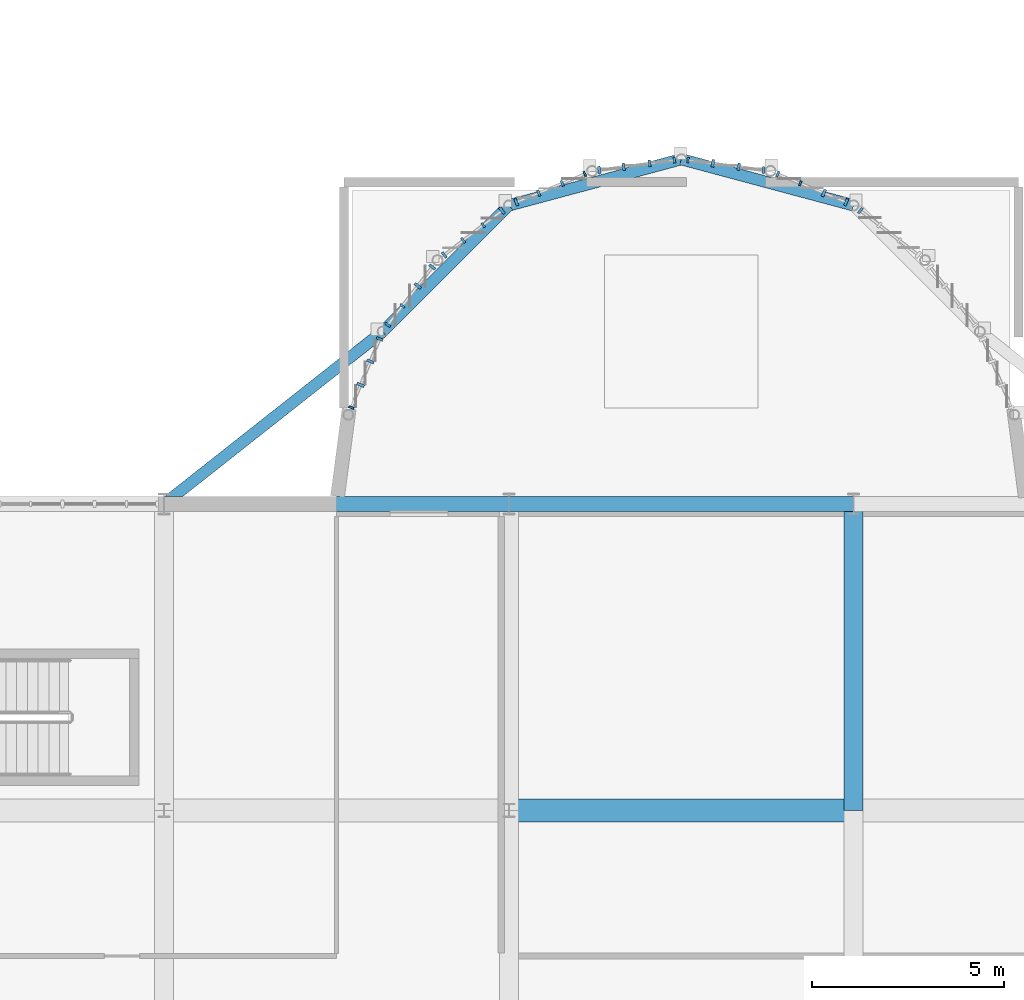
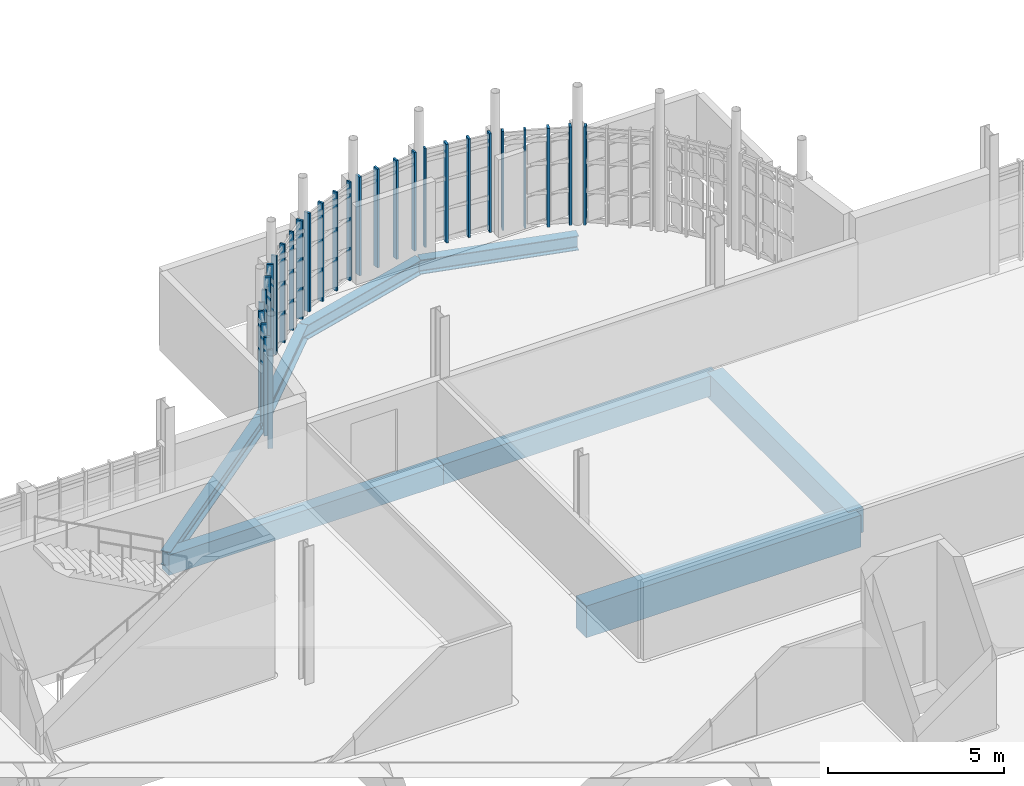
# One storey, part 21 of 128: 29 members, 8 beams, 8 elements without a shape of their own.
"""IFC4 building model written with IfcOpenShell, lengths in metres."""

import ifcopenshell
import ifcopenshell.guid

model = None  # the IFC model being written
_history = None  # IfcOwnerHistory: only IFC2X3 demands one
_inside = {}  # id of a spatial element -> (the spatial element, [elements in it])
_under = {}  # id of a project, library or spatial element -> (it, [spatial elements below it])
_declared = {}  # id of a project -> (the project, [libraries it declares])
_typed = {}  # id of a type object -> (the type object, [elements of that type])
_made_of = {}  # id of a material, layer set ... -> (it, [elements and type objects made of it])


def new_model(schema):
    """Start an empty IFC model of exactly this schema.

    Asked for "IFC4X3", IfcOpenShell would pick the latest addendum, in which some entities
    have other attributes; the version numbers below select the first issue.
    IFC2X3 requires an IfcOwnerHistory on every rooted entity: one is made here for all.
    """
    global model, _history
    if schema == "IFC4X3":
        model = ifcopenshell.file(schema_version=(4, 3, 0, 0))
    else:
        model = ifcopenshell.file(schema=schema)
    _inside.clear()
    _under.clear()
    _declared.clear()
    _typed.clear()
    _made_of.clear()
    _history = None
    if model.schema == "IFC2X3":
        org = make("IfcOrganization", Name="unknown")
        user = make(
            "IfcPersonAndOrganization",
            ThePerson=make("IfcPerson", FamilyName="unknown"),
            TheOrganization=org,
        )
        app = make(
            "IfcApplication",
            ApplicationDeveloper=org,
            Version="unknown",
            ApplicationFullName="unknown",
            ApplicationIdentifier="unknown",
        )
        _history = make(
            "IfcOwnerHistory",
            OwningUser=user,
            OwningApplication=app,
            ChangeAction="ADDED",
            CreationDate=0,
        )
    return model


def make(cls, **values):
    """One entity of the class cls with the attributes given. An attribute that is None is left unset."""
    return model.create_entity(
        cls, **{name: value for name, value in values.items() if value is not None}
    )


def rooted(cls, **values):
    """An entity with a GlobalId (a new one), such as an element, a storey or a relation."""
    return make(cls, GlobalId=ifcopenshell.guid.new(), OwnerHistory=_history, **values)


def si_unit(unit_type, name, prefix=None):
    """IfcSIUnit, for example si_unit("LENGTHUNIT", "METRE", prefix="MILLI")."""
    return make("IfcSIUnit", UnitType=unit_type, Prefix=prefix, Name=name)


def assignment(units):
    """IfcUnitAssignment: the units of a project."""
    return None if units is None else make("IfcUnitAssignment", Units=units)


def point(xyz):
    """IfcCartesianPoint."""
    return None if xyz is None else make("IfcCartesianPoint", Coordinates=xyz)


def direction(xyz):
    """IfcDirection."""
    return None if xyz is None else make("IfcDirection", DirectionRatios=xyz)


def frame(location, z_axis=None, x_axis=None):
    """IfcAxis2Placement3D, a coordinate frame: its origin and axes. An axis left out is left unset."""
    return make(
        "IfcAxis2Placement3D",
        Location=point(location),
        Axis=direction(z_axis),
        RefDirection=direction(x_axis),
    )


def frame_2d(location, x_axis=None):
    """IfcAxis2Placement2D, a coordinate frame in the plane: its origin and x axis."""
    return make(
        "IfcAxis2Placement2D", Location=point(location), RefDirection=direction(x_axis)
    )


def origin():
    """The frame at (0, 0, 0) with its axes left unset."""
    return frame((0.0, 0.0, 0.0))


def origin_2d():
    """The frame at (0, 0) in the plane with its x axis left unset."""
    return frame_2d((0.0, 0.0))


def place(relative_to, where):
    """IfcLocalPlacement: puts the frame where relative to a parent placement (None: the world)."""
    return make(
        "IfcLocalPlacement", PlacementRelTo=relative_to, RelativePlacement=where
    )


def context(
    kind, dimensions, precision=None, world=None, true_north=None, identifier=None
):
    """IfcGeometricRepresentationContext, for example the 3D "Model" context."""
    return make(
        "IfcGeometricRepresentationContext",
        ContextIdentifier=identifier,
        ContextType=kind,
        CoordinateSpaceDimension=dimensions,
        Precision=precision,
        WorldCoordinateSystem=world,
        TrueNorth=true_north,
    )


def subcontext(parent, identifier, kind, view, scale=None):
    """IfcGeometricRepresentationSubContext, for example "Body" below "Model"."""
    return make(
        "IfcGeometricRepresentationSubContext",
        ContextIdentifier=identifier,
        ContextType=kind,
        ParentContext=parent,
        TargetScale=scale,
        TargetView=view,
    )


def project(units=None, contexts=None):
    """IfcProject with its units and contexts."""
    return rooted(
        "IfcProject",
        Name="project",
        RepresentationContexts=contexts,
        UnitsInContext=assignment(units),
    )


def spatial(cls, under=None, at=None, **own):
    """A site, building, storey or space (cls), placed at a placement, below another one or the project."""
    s = rooted(cls, ObjectPlacement=at, **own)
    if under is not None:
        _under.setdefault(under.id(), (under, []))[1].append(s)
    return s


def profile(cls, at=None, kind="AREA", **sizes):
    """A parametric profile (cls). Its sizes go by their IFC names, for example OverallWidth=200.0."""
    return make(cls, ProfileType=kind, Position=at, **sizes)


def rectangle(**sizes):
    """IfcRectangleProfileDef."""
    return profile("IfcRectangleProfileDef", **sizes)


def i_section(**sizes):
    """IfcIShapeProfileDef."""
    return profile("IfcIShapeProfileDef", **sizes)


def extrude(swept, where, along, depth):
    """IfcExtrudedAreaSolid: the profile swept, set in the frame where, extruded along a direction by depth."""
    return make(
        "IfcExtrudedAreaSolid",
        SweptArea=swept,
        Position=where,
        ExtrudedDirection=direction(along),
        Depth=depth,
    )


def shape(context_of_items, identifier, shape_type, items):
    """IfcShapeRepresentation: the items that make up one representation, for example the "Body"."""
    return make(
        "IfcShapeRepresentation",
        ContextOfItems=context_of_items,
        RepresentationIdentifier=identifier,
        RepresentationType=shape_type,
        Items=items,
    )


def material(Name=None, Category=None):
    """IfcMaterial."""
    return make("IfcMaterial", Name=Name, Category=Category)


def material_profile(
    of_material, cross_section, Name=None, Category=None, Priority=None
):
    """IfcMaterialProfile: a cross section and its material."""
    return make(
        "IfcMaterialProfile",
        Name=Name,
        Material=of_material,
        Profile=cross_section,
        Priority=Priority,
        Category=Category,
    )


def profile_set(profiles, Name=None, composite=None):
    """IfcMaterialProfileSet."""
    return make(
        "IfcMaterialProfileSet",
        Name=Name,
        MaterialProfiles=profiles,
        CompositeProfile=composite,
    )


def made_of(thing, what):
    """Note that an element or type object is made of a material, layer set ...; save() writes the relation."""
    if what is not None:
        _made_of.setdefault(what.id(), (what, []))[1].append(thing)
    return thing


def type_object(cls, material=None, **own):
    """A type object (cls), such as IfcWallType, which elements share."""
    return made_of(rooted(cls, **own), material)


def element(
    cls,
    number,
    at=None,
    inside=None,
    cuts=None,
    type_object=None,
    material=None,
    context=None,
    identifier="Body",
    shape_type=None,
    held_by="IfcProductDefinitionShape",
    body=None,
    shapes=None,
    **own,
):
    """One element of the class cls, such as IfcWall. Its Tag is "e" and its number.

    at: its placement. inside: the storey or other place that contains it. cuts: it is an
    opening in that element (IfcRelVoidsElement). A single representation is given by context,
    identifier, shape_type and body (its items); several are given by shapes. held_by: the class
    of the entity that holds the representations. save() writes the other relations.
    """
    e = rooted(cls, Tag="e%d" % number, ObjectPlacement=at, **own)
    if body is not None:
        shapes = [shape(context, identifier, shape_type, body)]
    if shapes is not None:
        e.Representation = make(held_by, Representations=shapes)
    if inside is not None:
        _inside.setdefault(inside.id(), (inside, []))[1].append(e)
    if cuts is not None:
        rooted(
            "IfcRelVoidsElement", RelatingBuildingElement=cuts, RelatedOpeningElement=e
        )
    if type_object is not None:
        _typed.setdefault(type_object.id(), (type_object, []))[1].append(e)
    return made_of(e, material)


def aggregate(whole, parts):
    """IfcRelAggregates: a whole, such as a stair, and the parts it consists of."""
    return rooted("IfcRelAggregates", RelatingObject=whole, RelatedObjects=parts)


def save(model, path):
    """Write the relations noted so far, then the file.

    IfcRelAggregates (storeys below a building ...), IfcRelContainedInSpatialStructure (elements
    in a storey), IfcRelDefinesByType, IfcRelAssociatesMaterial and IfcRelDeclares: one each for
    every whole, place, type object, material and project.
    """
    for whole, parts in _under.values():
        aggregate(whole, parts)
    for where, things in _inside.values():
        rooted(
            "IfcRelContainedInSpatialStructure",
            RelatedElements=things,
            RelatingStructure=where,
        )
    for kind, things in _typed.values():
        rooted("IfcRelDefinesByType", RelatedObjects=things, RelatingType=kind)
    for what, things in _made_of.values():
        rooted("IfcRelAssociatesMaterial", RelatedObjects=things, RelatingMaterial=what)
    for by, libraries in _declared.values():
        rooted("IfcRelDeclares", RelatingContext=by, RelatedDefinitions=libraries)
    model.write(path)


model = new_model("IFC4")

# Units and contexts
model_context = context("Model", 3, precision=1e-05, world=origin(), true_north=direction((0.0, 1.0)))
body_context = subcontext(model_context, "Body", "Model", "MODEL_VIEW")
ifc_project = project(units=[si_unit("LENGTHUNIT", "METRE"), si_unit("AREAUNIT", "SQUARE_METRE"), si_unit("VOLUMEUNIT", "CUBIC_METRE"), si_unit("PLANEANGLEUNIT", "RADIAN"), si_unit("MASSUNIT", "GRAM", prefix="KILO")], contexts=[model_context])

# Site, building, storey
site_placement = place(None, origin())
site = spatial("IfcSite", under=ifc_project, at=site_placement, CompositionType="ELEMENT")
building_placement = place(site_placement, origin())
building = spatial("IfcBuilding", under=site, at=building_placement, Name="Serraforn Aerial Cableway Station", CompositionType="ELEMENT")
storey_placement = place(building_placement, frame((0.0, 0.0, 9.0)))
storey = spatial("IfcBuildingStorey", under=building, at=storey_placement, Name="L02", CompositionType="ELEMENT", Elevation=9.0)

# Beams
ifc_material_1 = material(Name="Concrete C35/45", Category="concrete")
ifc_material_profile_1 = material_profile(ifc_material_1, rectangle(XDim=0.39990234375, YDim=0.699951171875, at=origin_2d()), Name="RC 400x700")
ifc_profile_set_1 = profile_set([ifc_material_profile_1], Name="Concrete C35/45")
beam_type_1 = type_object("IfcBeamType", Name="BM-RC-400x700E", PredefinedType="SPANDREL", material=ifc_profile_set_1)
for number, where, z_axis, x_axis, name in (
    (1, (45.60009765625, 42.0, -0.7099609375), (1.0, 0.0, 0.0), (0.0, 1.0, 0.0), "Grid Girder X CV L02 Y4-3"),
    (2, (54.60009765625, 42.0, -0.7099609375), (1.0, 0.0, 0.0), (0.0, 1.0, 0.0), "Grid Girder X CV L02 Y4-4"),
):
    element("IfcBeam", number, at=place(storey_placement, frame(where, z_axis=z_axis, x_axis=x_axis)), inside=storey, type_object=beam_type_1, Name=name, PredefinedType="SPANDREL", context=body_context, shape_type="SweptSolid", body=[
        extrude(rectangle(XDim=0.39990234375, YDim=0.699951171875, at=origin_2d()), origin(), (0.0, 0.0, 1.0), 9.0),
    ])
ifc_material_profile_2 = material_profile(ifc_material_1, rectangle(XDim=0.5, YDim=0.85009765625, at=origin_2d()), Name="RC 500x850")
ifc_profile_set_2 = profile_set([ifc_material_profile_2], Name="Concrete C35/45")
beam_type_2 = type_object("IfcBeamType", Name="BM-RC-500x850", PredefinedType="USERDEFINED", material=ifc_profile_set_2)
beam_1_placement = place(storey_placement, frame((63.60009765625, 34.0, -0.784912109375), z_axis=(0.0, 1.0, 0.0), x_axis=(-1.0, 0.0, 0.0)))
element("IfcBeam", 3, at=beam_1_placement, inside=storey, type_object=beam_type_2, Name="Grid Girder Y CV L02 X5-3", ObjectType="GIRDER", PredefinedType="USERDEFINED", context=body_context, shape_type="SweptSolid", body=[
    extrude(rectangle(XDim=0.5, YDim=0.85009765625, at=origin_2d()), origin(), (0.0, 0.0, 1.0), 8.0),
])
ifc_material_2 = material(Name="Concrete C40/50", Category="concrete")
ifc_material_profile_3 = material_profile(ifc_material_2, rectangle(XDim=0.60009765625, YDim=1.10009765625, at=origin_2d()), Name="RC 600x1100")
ifc_profile_set_3 = profile_set([ifc_material_profile_3], Name="Concrete C40/50")
beam_type_3 = type_object("IfcBeamType", Name="BM-RC-600x1100", PredefinedType="USERDEFINED", material=ifc_profile_set_3)
beam_2_placement = place(storey_placement, frame((54.60009765625, 34.0, -0.909912109375), z_axis=(1.0, 0.0, 0.0), x_axis=(0.0, 1.0, 0.0)))
element("IfcBeam", 4, at=beam_2_placement, inside=storey, type_object=beam_type_3, Name="Grid Girder X CV L02 Y3-4", ObjectType="GIRDER", PredefinedType="USERDEFINED", context=body_context, shape_type="SweptSolid", body=[
    extrude(rectangle(XDim=0.60009765625, YDim=1.10009765625, at=origin_2d()), origin(), (0.0, 0.0, 1.0), 9.0),
])
ifc_material_3 = material(Name="Steel S355J2", Category="steel")
ifc_material_profile_4 = material_profile(ifc_material_3, i_section(OverallWidth=0.300048828125, OverallDepth=0.5, WebThickness=0.011962890625, FlangeThickness=0.02294921875, FilletRadius=0.027099609375, at=origin_2d()), Name="HEA 500")
ifc_profile_set_4 = profile_set([ifc_material_profile_4], Name="Steel S355J2")
beam_type_4 = type_object("IfcBeamType", Name="BM-ST-HEA500", PredefinedType="USERDEFINED", material=ifc_profile_set_4)
beam_3_placement = place(storey_placement, frame((45.60009765625, 42.0, -0.590087890625), z_axis=(0.785189683878, 0.619255327253, 0.0), x_axis=(-0.619255327253, 0.785189683878, 0.0)))
element("IfcBeam", 5, at=beam_3_placement, inside=storey, type_object=beam_type_4, Name="Apse Ring Girder L02-1", ObjectType="GIRDER", PredefinedType="USERDEFINED", context=body_context, shape_type="SweptSolid", body=[
    extrude(i_section(OverallWidth=0.300048828125, OverallDepth=0.5, WebThickness=0.011962890625, FlangeThickness=0.02294921875, FilletRadius=0.027099609375, at=origin_2d()), origin(), (0.0, 0.0, 1.0), 7.266845703125),
])
for number, where, z_axis, x_axis, name in (
    (6, (51.305908203125, 46.5, -0.590087890625), (0.707106781187, 0.707106781187, 0.0), (-0.707106781187, 0.707106781187, 0.0), "Apse Ring Girder L02-2"),
    (7, (54.60009765625, 49.794189453125, -0.590087890625), (0.965923723713, 0.258826891896, 0.0), (-0.258826891896, 0.965923723713, 0.0), "Apse Ring Girder L02-3"),
    (8, (59.10009765625, 51.0, -0.590087890625), (0.965923723713, -0.258826891896, 0.0), (0.258826891896, 0.965923723713, 0.0), "Apse Ring Girder L02-4"),
):
    element("IfcBeam", number, at=place(storey_placement, frame(where, z_axis=z_axis, x_axis=x_axis)), inside=storey, type_object=beam_type_4, Name=name, ObjectType="GIRDER", PredefinedType="USERDEFINED", context=body_context, shape_type="SweptSolid", body=[
        extrude(i_section(OverallWidth=0.300048828125, OverallDepth=0.5, WebThickness=0.011962890625, FlangeThickness=0.02294921875, FilletRadius=0.027099609375, at=origin_2d()), origin(), (0.0, 0.0, 1.0), 4.65869140625),
    ])

# Curtain wall, member
ifc_material_4 = material(Name="Anodised bronze unitised curtain wall")
curtain_wall_type_1 = type_object("IfcCurtainWallType", Name="CW-SYS-5", PredefinedType="USERDEFINED", material=ifc_material_4)
curtain_wall_1_placement = place(storey_placement, origin())
curtain_wall_1 = element("IfcCurtainWall", 9, at=curtain_wall_1_placement, inside=storey, type_object=curtain_wall_type_1, Name="Unitised Curtain Wall CW-AP-L02-R2", ObjectType="UNITISED CURTAIN WALL", PredefinedType="USERDEFINED")
ifc_material_5 = material(Name="Anodised bronze extruded aluminium", Category="aluminium")
ifc_material_profile_5 = material_profile(ifc_material_5, rectangle(XDim=0.054931640625, YDim=0.139892578125, at=origin_2d()), Name="CW MULLION 55x140")
ifc_profile_set_5 = profile_set([ifc_material_profile_5], Name="Anodised bronze extruded aluminium")
member_type_1 = type_object("IfcMemberType", Name="CW-MUL-1", PredefinedType="MULLION", material=ifc_profile_set_5)
member_1_placement = place(storey_placement, frame((50.484619140625, 44.517578125, 0.0), z_axis=(0.0, 0.0, 1.0), x_axis=(-0.382665829353, -0.923886823721, 0.0)))
member_1 = element("IfcMember", 10, at=member_1_placement, type_object=member_type_1, Name="Curtain Wall Mullion CW-AP-L02-R2-M4", PredefinedType="MULLION", context=body_context, shape_type="SweptSolid", body=[
    extrude(rectangle(XDim=0.054931640625, YDim=0.139892578125, at=origin_2d()), origin(), (0.0, 0.0, 1.0), 3.419921875),
])

curtain_wall_type_2 = type_object("IfcCurtainWallType", Name="CW-SYS-6", PredefinedType="USERDEFINED", material=ifc_material_4)
curtain_wall_2_placement = place(storey_placement, origin())
curtain_wall_2 = element("IfcCurtainWall", 11, at=curtain_wall_2_placement, inside=storey, type_object=curtain_wall_type_2, Name="Unitised Curtain Wall CW-AP-L02-R3", ObjectType="UNITISED CURTAIN WALL", PredefinedType="USERDEFINED")
member_2_placement = place(storey_placement, frame((51.821044921875, 47.17138671875, 0.0), z_axis=(0.0, 0.0, 1.0), x_axis=(-0.608748968173, -0.793362901671, 0.0)))
member_2 = element("IfcMember", 12, at=member_2_placement, type_object=member_type_1, Name="Curtain Wall Mullion CW-AP-L02-R3-M3", PredefinedType="MULLION", context=body_context, shape_type="SweptSolid", body=[
    extrude(rectangle(XDim=0.054931640625, YDim=0.139892578125, at=origin_2d()), origin(), (0.0, 0.0, 1.0), 3.419921875),
])

curtain_wall_type_3 = type_object("IfcCurtainWallType", Name="CW-SYS-7", PredefinedType="USERDEFINED", material=ifc_material_4)
curtain_wall_3_placement = place(storey_placement, origin())
curtain_wall_3 = element("IfcCurtainWall", 13, at=curtain_wall_3_placement, inside=storey, type_object=curtain_wall_type_3, Name="Unitised Curtain Wall CW-AP-L02-R4", ObjectType="UNITISED CURTAIN WALL", PredefinedType="USERDEFINED")
member_3_placement = place(storey_placement, frame((53.9287109375, 49.279052734375, 0.0), z_axis=(0.0, 0.0, 1.0), x_axis=(-0.793362901671, -0.608748968173, 0.0)))
member_3 = element("IfcMember", 14, at=member_3_placement, type_object=member_type_1, Name="Curtain Wall Mullion CW-AP-L02-R4-M2", PredefinedType="MULLION", context=body_context, shape_type="SweptSolid", body=[
    extrude(rectangle(XDim=0.054931640625, YDim=0.139892578125, at=origin_2d()), origin(), (0.0, 0.0, 1.0), 3.419921875),
])

curtain_wall_type_4 = type_object("IfcCurtainWallType", Name="CW-SYS-8", PredefinedType="USERDEFINED", material=ifc_material_4)
curtain_wall_4_placement = place(storey_placement, origin())
curtain_wall_4 = element("IfcCurtainWall", 15, at=curtain_wall_4_placement, inside=storey, type_object=curtain_wall_type_4, Name="Unitised Curtain Wall CW-AP-L02-R5", ObjectType="UNITISED CURTAIN WALL", PredefinedType="USERDEFINED")
member_4_placement = place(storey_placement, frame((56.582275390625, 50.615234375, 0.0), z_axis=(0.0, 0.0, 1.0), x_axis=(-0.923886823721, -0.382665829353, 0.0)))
member_4 = element("IfcMember", 16, at=member_4_placement, type_object=member_type_1, Name="Curtain Wall Mullion CW-AP-L02-R5-M1", PredefinedType="MULLION", context=body_context, shape_type="SweptSolid", body=[
    extrude(rectangle(XDim=0.054931640625, YDim=0.139892578125, at=origin_2d()), origin(), (0.0, 0.0, 1.0), 3.419921875),
])

curtain_wall_type_5 = type_object("IfcCurtainWallType", Name="CW-SYS-10", PredefinedType="USERDEFINED", material=ifc_material_4)
curtain_wall_5_placement = place(storey_placement, origin())
curtain_wall_5 = element("IfcCurtainWall", 17, at=curtain_wall_5_placement, inside=storey, type_object=curtain_wall_type_5, Name="Unitised Curtain Wall CW-AP-L02-R7", ObjectType="UNITISED CURTAIN WALL", PredefinedType="USERDEFINED")
member_5_placement = place(storey_placement, frame((59.277099609375, 50.976806640625, 0.0), z_axis=(0.0, 0.0, 1.0), x_axis=(-0.991438659417, 0.130573292114, 0.0)))
member_5 = element("IfcMember", 18, at=member_5_placement, type_object=member_type_1, Name="Curtain Wall Mullion CW-AP-L02-R7-M4", PredefinedType="MULLION", context=body_context, shape_type="SweptSolid", body=[
    extrude(rectangle(XDim=0.054931640625, YDim=0.139892578125, at=origin_2d()), origin(), (0.0, 0.0, 1.0), 3.419921875),
])

curtain_wall_type_6 = type_object("IfcCurtainWallType", Name="CW-SYS-11", PredefinedType="USERDEFINED", material=ifc_material_4)
curtain_wall_6_placement = place(storey_placement, origin())
curtain_wall_6 = element("IfcCurtainWall", 19, at=curtain_wall_6_placement, inside=storey, type_object=curtain_wall_type_6, Name="Unitised Curtain Wall CW-AP-L02-R8", ObjectType="UNITISED CURTAIN WALL", PredefinedType="USERDEFINED")
member_6_placement = place(storey_placement, frame((62.207275390625, 50.37109375, 0.0), z_axis=(0.0, 0.0, 1.0), x_axis=(-0.923886823721, 0.382665829353, 0.0)))
member_6 = element("IfcMember", 20, at=member_6_placement, type_object=member_type_1, Name="Curtain Wall Mullion CW-AP-L02-R8-M3", PredefinedType="MULLION", context=body_context, shape_type="SweptSolid", body=[
    extrude(rectangle(XDim=0.054931640625, YDim=0.139892578125, at=origin_2d()), origin(), (0.0, 0.0, 1.0), 3.419921875),
])

# Member
ifc_material_profile_6 = material_profile(ifc_material_5, rectangle(XDim=0.06005859375, YDim=0.159912109375, at=origin_2d()), Name="CW MULLION 60x160")
ifc_profile_set_6 = profile_set([ifc_material_profile_6], Name="Anodised bronze extruded aluminium")
member_type_2 = type_object("IfcMemberType", Name="CW-MUL-2", PredefinedType="MULLION", material=ifc_profile_set_6)
member_7_placement = place(storey_placement, frame((51.439453125, 46.674072265625, 0.0), z_axis=(0.0, 0.0, 1.0), x_axis=(-0.608748968173, -0.793362901671, 0.0)))
member_7 = element("IfcMember", 21, at=member_7_placement, type_object=member_type_2, Name="Curtain Wall Mullion CW-AP-L02-R3-M4", PredefinedType="MULLION", context=body_context, shape_type="SweptSolid", body=[
    extrude(rectangle(XDim=0.06005859375, YDim=0.159912109375, at=origin_2d()), origin(), (0.0, 0.0, 1.0), 3.419921875),
])

member_8_placement = place(storey_placement, frame((53.407470703125, 48.879150390625, 0.0), z_axis=(0.0, 0.0, 1.0), x_axis=(-0.793362901671, -0.608748968173, 0.0)))
member_8 = element("IfcMember", 22, at=member_8_placement, type_object=member_type_2, Name="Curtain Wall Mullion CW-AP-L02-R4-M3", PredefinedType="MULLION", context=body_context, shape_type="SweptSolid", body=[
    extrude(rectangle(XDim=0.06005859375, YDim=0.159912109375, at=origin_2d()), origin(), (0.0, 0.0, 1.0), 3.419921875),
])

member_9_placement = place(storey_placement, frame((55.992919921875, 50.37109375, 0.0), z_axis=(0.0, 0.0, 1.0), x_axis=(-0.923886823721, -0.382665829353, 0.0)))
member_9 = element("IfcMember", 23, at=member_9_placement, type_object=member_type_2, Name="Curtain Wall Mullion CW-AP-L02-R5-M2", PredefinedType="MULLION", context=body_context, shape_type="SweptSolid", body=[
    extrude(rectangle(XDim=0.06005859375, YDim=0.159912109375, at=origin_2d()), origin(), (0.0, 0.0, 1.0), 3.419921875),
])

# Curtain wall, member
curtain_wall_type_7 = type_object("IfcCurtainWallType", Name="CW-SYS-9", PredefinedType="USERDEFINED", material=ifc_material_4)
curtain_wall_7_placement = place(storey_placement, origin())
curtain_wall_7 = element("IfcCurtainWall", 24, at=curtain_wall_7_placement, inside=storey, type_object=curtain_wall_type_7, Name="Unitised Curtain Wall CW-AP-L02-R6", ObjectType="UNITISED CURTAIN WALL", PredefinedType="USERDEFINED")
member_10_placement = place(storey_placement, frame((58.92041015625, 50.976318359375, 0.0), z_axis=(0.0, 0.0, 1.0), x_axis=(-0.991438659417, -0.130573292114, 0.0)))
member_10 = element("IfcMember", 25, at=member_10_placement, type_object=member_type_2, Name="Curtain Wall Mullion CW-AP-L02-R6-M1", PredefinedType="MULLION", context=body_context, shape_type="SweptSolid", body=[
    extrude(rectangle(XDim=0.06005859375, YDim=0.159912109375, at=origin_2d()), origin(), (0.0, 0.0, 1.0), 3.419921875),
])

# Member
member_11_placement = place(storey_placement, frame((61.6201171875, 50.6142578125, 0.0), z_axis=(0.0, 0.0, 1.0), x_axis=(-0.923886823721, 0.382665829353, 0.0)))
member_11 = element("IfcMember", 26, at=member_11_placement, type_object=member_type_2, Name="Curtain Wall Mullion CW-AP-L02-R8-M4", PredefinedType="MULLION", context=body_context, shape_type="SweptSolid", body=[
    extrude(rectangle(XDim=0.06005859375, YDim=0.159912109375, at=origin_2d()), origin(), (0.0, 0.0, 1.0), 3.419921875),
])

ifc_material_profile_7 = material_profile(ifc_material_5, rectangle(XDim=0.06494140625, YDim=0.175048828125, at=origin_2d()), Name="CW MULLION 65x175")
ifc_profile_set_7 = profile_set([ifc_material_profile_7], Name="Anodised bronze extruded aluminium")
member_type_3 = type_object("IfcMemberType", Name="CW-MUL-3", PredefinedType="MULLION", material=ifc_profile_set_7)
member_12_placement = place(storey_placement, frame((51.225830078125, 46.30712890625, 0.0), z_axis=(0.0, 0.0, 1.0), x_axis=(-0.382665829353, -0.923886823721, 0.0)))
member_12 = element("IfcMember", 27, at=member_12_placement, type_object=member_type_3, Name="Curtain Wall Mullion CW-AP-L02-R2-M1", PredefinedType="MULLION", context=body_context, shape_type="SweptSolid", body=[
    extrude(rectangle(XDim=0.06494140625, YDim=0.175048828125, at=origin_2d()), origin(), (0.0, 0.0, 1.0), 3.419921875),
])

member_13_placement = place(storey_placement, frame((52.912109375, 48.4990234375, 0.0), z_axis=(0.0, 0.0, 1.0), x_axis=(-0.793362901671, -0.608748968173, 0.0)))
member_13 = element("IfcMember", 28, at=member_13_placement, type_object=member_type_3, Name="Curtain Wall Mullion CW-AP-L02-R4-M4", PredefinedType="MULLION", context=body_context, shape_type="SweptSolid", body=[
    extrude(rectangle(XDim=0.06494140625, YDim=0.175048828125, at=origin_2d()), origin(), (0.0, 0.0, 1.0), 3.419921875),
])

member_14_placement = place(storey_placement, frame((55.377685546875, 50.116455078125, 0.0), z_axis=(0.0, 0.0, 1.0), x_axis=(-0.923886823721, -0.382665829353, 0.0)))
member_14 = element("IfcMember", 29, at=member_14_placement, type_object=member_type_3, Name="Curtain Wall Mullion CW-AP-L02-R5-M3", PredefinedType="MULLION", context=body_context, shape_type="SweptSolid", body=[
    extrude(rectangle(XDim=0.06494140625, YDim=0.175048828125, at=origin_2d()), origin(), (0.0, 0.0, 1.0), 3.419921875),
])

member_15_placement = place(storey_placement, frame((58.273681640625, 50.89111328125, 0.0), z_axis=(0.0, 0.0, 1.0), x_axis=(-0.991438659417, -0.130573292114, 0.0)))
member_15 = element("IfcMember", 30, at=member_15_placement, type_object=member_type_3, Name="Curtain Wall Mullion CW-AP-L02-R6-M2", PredefinedType="MULLION", context=body_context, shape_type="SweptSolid", body=[
    extrude(rectangle(XDim=0.06494140625, YDim=0.175048828125, at=origin_2d()), origin(), (0.0, 0.0, 1.0), 3.419921875),
])

member_16_placement = place(storey_placement, frame((61.247314453125, 50.71728515625, 0.0), z_axis=(0.0, 0.0, 1.0), x_axis=(-0.991438659417, 0.130573292114, 0.0)))
member_16 = element("IfcMember", 31, at=member_16_placement, type_object=member_type_3, Name="Curtain Wall Mullion CW-AP-L02-R7-M1", PredefinedType="MULLION", context=body_context, shape_type="SweptSolid", body=[
    extrude(rectangle(XDim=0.06494140625, YDim=0.175048828125, at=origin_2d()), origin(), (0.0, 0.0, 1.0), 3.419921875),
])

# Curtain wall, member
curtain_wall_type_8 = type_object("IfcCurtainWallType", Name="CW-SYS-12", PredefinedType="USERDEFINED", material=ifc_material_4)
curtain_wall_8_placement = place(storey_placement, origin())
curtain_wall_8 = element("IfcCurtainWall", 32, at=curtain_wall_8_placement, inside=storey, type_object=curtain_wall_type_8, Name="Unitised Curtain Wall CW-AP-L02-R9", ObjectType="UNITISED CURTAIN WALL", PredefinedType="USERDEFINED")
member_17_placement = place(storey_placement, frame((63.776123046875, 49.6591796875, 0.0), z_axis=(0.0, 0.0, 1.0), x_axis=(-0.793362901671, 0.608748968173, 0.0)))
member_17 = element("IfcMember", 33, at=member_17_placement, type_object=member_type_3, Name="Curtain Wall Mullion CW-AP-L02-R9-M4", PredefinedType="MULLION", context=body_context, shape_type="SweptSolid", body=[
    extrude(rectangle(XDim=0.06494140625, YDim=0.175048828125, at=origin_2d()), origin(), (0.0, 0.0, 1.0), 3.419921875),
])
aggregate(curtain_wall_8, [member_17])

# Member
ifc_material_profile_8 = material_profile(ifc_material_5, rectangle(XDim=0.070068359375, YDim=0.18994140625, at=origin_2d()), Name="CW MULLION 70x190")
ifc_profile_set_8 = profile_set([ifc_material_profile_8], Name="Anodised bronze extruded aluminium")
member_type_4 = type_object("IfcMemberType", Name="CW-MUL-4", PredefinedType="MULLION", material=ifc_profile_set_8)
member_18_placement = place(storey_placement, frame((50.983642578125, 45.72216796875, 0.0), z_axis=(0.0, 0.0, 1.0), x_axis=(-0.382665829353, -0.923886823721, 0.0)))
member_18 = element("IfcMember", 34, at=member_18_placement, type_object=member_type_4, Name="Curtain Wall Mullion CW-AP-L02-R2-M2", PredefinedType="MULLION", context=body_context, shape_type="SweptSolid", body=[
    extrude(rectangle(XDim=0.070068359375, YDim=0.18994140625, at=origin_2d()), origin(), (0.0, 0.0, 1.0), 3.419921875),
])

member_19_placement = place(storey_placement, frame((52.599365234375, 48.185791015625, 0.0), z_axis=(0.0, 0.0, 1.0), x_axis=(-0.608748968173, -0.793362901671, 0.0)))
member_19 = element("IfcMember", 35, at=member_19_placement, type_object=member_type_4, Name="Curtain Wall Mullion CW-AP-L02-R3-M1", PredefinedType="MULLION", context=body_context, shape_type="SweptSolid", body=[
    extrude(rectangle(XDim=0.070068359375, YDim=0.18994140625, at=origin_2d()), origin(), (0.0, 0.0, 1.0), 3.419921875),
])

member_20_placement = place(storey_placement, frame((54.795166015625, 49.875, 0.0), z_axis=(0.0, 0.0, 1.0), x_axis=(-0.923886823721, -0.382665829353, 0.0)))
member_20 = element("IfcMember", 36, at=member_20_placement, type_object=member_type_4, Name="Curtain Wall Mullion CW-AP-L02-R5-M4", PredefinedType="MULLION", context=body_context, shape_type="SweptSolid", body=[
    extrude(rectangle(XDim=0.070068359375, YDim=0.18994140625, at=origin_2d()), origin(), (0.0, 0.0, 1.0), 3.419921875),
])

aggregate(curtain_wall_4, [member_4, member_9, member_14, member_20])

member_21_placement = place(storey_placement, frame((57.596923828125, 50.802001953125, 0.0), z_axis=(0.0, 0.0, 1.0), x_axis=(-0.991438659417, -0.130573292114, 0.0)))
member_21 = element("IfcMember", 37, at=member_21_placement, type_object=member_type_4, Name="Curtain Wall Mullion CW-AP-L02-R6-M3", PredefinedType="MULLION", context=body_context, shape_type="SweptSolid", body=[
    extrude(rectangle(XDim=0.070068359375, YDim=0.18994140625, at=origin_2d()), origin(), (0.0, 0.0, 1.0), 3.419921875),
])

member_22_placement = place(storey_placement, frame((60.60302734375, 50.802001953125, 0.0), z_axis=(0.0, 0.0, 1.0), x_axis=(-0.991438659417, 0.130573292114, 0.0)))
member_22 = element("IfcMember", 38, at=member_22_placement, type_object=member_type_4, Name="Curtain Wall Mullion CW-AP-L02-R7-M2", PredefinedType="MULLION", context=body_context, shape_type="SweptSolid", body=[
    extrude(rectangle(XDim=0.070068359375, YDim=0.18994140625, at=origin_2d()), origin(), (0.0, 0.0, 1.0), 3.419921875),
])

member_23_placement = place(storey_placement, frame((63.40478515625, 49.875, 0.0), z_axis=(0.0, 0.0, 1.0), x_axis=(-0.923886823721, 0.382665829353, 0.0)))
member_23 = element("IfcMember", 39, at=member_23_placement, type_object=member_type_4, Name="Curtain Wall Mullion CW-AP-L02-R8-M1", PredefinedType="MULLION", context=body_context, shape_type="SweptSolid", body=[
    extrude(rectangle(XDim=0.070068359375, YDim=0.18994140625, at=origin_2d()), origin(), (0.0, 0.0, 1.0), 3.419921875),
])

ifc_material_profile_9 = material_profile(ifc_material_5, rectangle(XDim=0.074951171875, YDim=0.199951171875, at=origin_2d()), Name="CW MULLION 75x200")
ifc_profile_set_9 = profile_set([ifc_material_profile_9], Name="Anodised bronze extruded aluminium")
member_type_5 = type_object("IfcMemberType", Name="CW-MUL-5", PredefinedType="MULLION", material=ifc_profile_set_9)
member_24_placement = place(storey_placement, frame((50.72900390625, 45.107177734375, 0.0), z_axis=(0.0, 0.0, 1.0), x_axis=(-0.382665829353, -0.923886823721, 0.0)))
member_24 = element("IfcMember", 40, at=member_24_placement, type_object=member_type_5, Name="Curtain Wall Mullion CW-AP-L02-R2-M3", PredefinedType="MULLION", context=body_context, shape_type="SweptSolid", body=[
    extrude(rectangle(XDim=0.074951171875, YDim=0.199951171875, at=origin_2d()), origin(), (0.0, 0.0, 1.0), 3.419921875),
])

aggregate(curtain_wall_1, [member_12, member_18, member_24, member_1])

member_25_placement = place(storey_placement, frame((52.220703125, 47.692626953125, 0.0), z_axis=(0.0, 0.0, 1.0), x_axis=(-0.608748968173, -0.793362901671, 0.0)))
member_25 = element("IfcMember", 41, at=member_25_placement, type_object=member_type_5, Name="Curtain Wall Mullion CW-AP-L02-R3-M2", PredefinedType="MULLION", context=body_context, shape_type="SweptSolid", body=[
    extrude(rectangle(XDim=0.074951171875, YDim=0.199951171875, at=origin_2d()), origin(), (0.0, 0.0, 1.0), 3.419921875),
])

aggregate(curtain_wall_2, [member_19, member_25, member_2, member_7])

member_26_placement = place(storey_placement, frame((54.419921875, 49.656005859375, 0.0), z_axis=(0.0, 0.0, 1.0), x_axis=(-0.793362901671, -0.608748968173, 0.0)))
member_26 = element("IfcMember", 42, at=member_26_placement, type_object=member_type_5, Name="Curtain Wall Mullion CW-AP-L02-R4-M1", PredefinedType="MULLION", context=body_context, shape_type="SweptSolid", body=[
    extrude(rectangle(XDim=0.074951171875, YDim=0.199951171875, at=origin_2d()), origin(), (0.0, 0.0, 1.0), 3.419921875),
])

aggregate(curtain_wall_3, [member_26, member_3, member_8, member_13])

member_27_placement = place(storey_placement, frame((56.957763671875, 50.718017578125, 0.0), z_axis=(0.0, 0.0, 1.0), x_axis=(-0.991438659417, -0.130573292114, 0.0)))
member_27 = element("IfcMember", 43, at=member_27_placement, type_object=member_type_5, Name="Curtain Wall Mullion CW-AP-L02-R6-M4", PredefinedType="MULLION", context=body_context, shape_type="SweptSolid", body=[
    extrude(rectangle(XDim=0.074951171875, YDim=0.199951171875, at=origin_2d()), origin(), (0.0, 0.0, 1.0), 3.419921875),
])

aggregate(curtain_wall_7, [member_10, member_15, member_21, member_27])

member_28_placement = place(storey_placement, frame((59.926513671875, 50.89111328125, 0.0), z_axis=(0.0, 0.0, 1.0), x_axis=(-0.991438659417, 0.130573292114, 0.0)))
member_28 = element("IfcMember", 44, at=member_28_placement, type_object=member_type_5, Name="Curtain Wall Mullion CW-AP-L02-R7-M3", PredefinedType="MULLION", context=body_context, shape_type="SweptSolid", body=[
    extrude(rectangle(XDim=0.074951171875, YDim=0.199951171875, at=origin_2d()), origin(), (0.0, 0.0, 1.0), 3.419921875),
])

aggregate(curtain_wall_5, [member_16, member_22, member_28, member_5])

member_29_placement = place(storey_placement, frame((62.822265625, 50.116455078125, 0.0), z_axis=(0.0, 0.0, 1.0), x_axis=(-0.923886823721, 0.382665829353, 0.0)))
member_29 = element("IfcMember", 45, at=member_29_placement, type_object=member_type_5, Name="Curtain Wall Mullion CW-AP-L02-R8-M2", PredefinedType="MULLION", context=body_context, shape_type="SweptSolid", body=[
    extrude(rectangle(XDim=0.074951171875, YDim=0.199951171875, at=origin_2d()), origin(), (0.0, 0.0, 1.0), 3.419921875),
])

aggregate(curtain_wall_6, [member_23, member_29, member_6, member_11])

save(model, "model.ifc")
